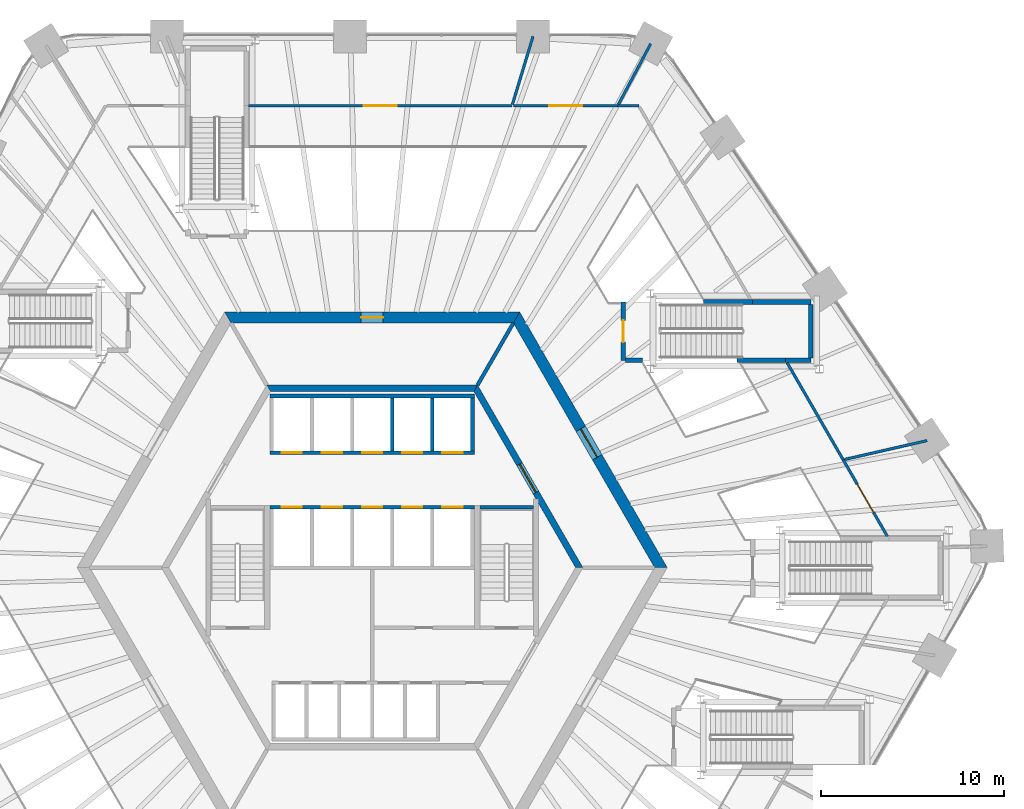
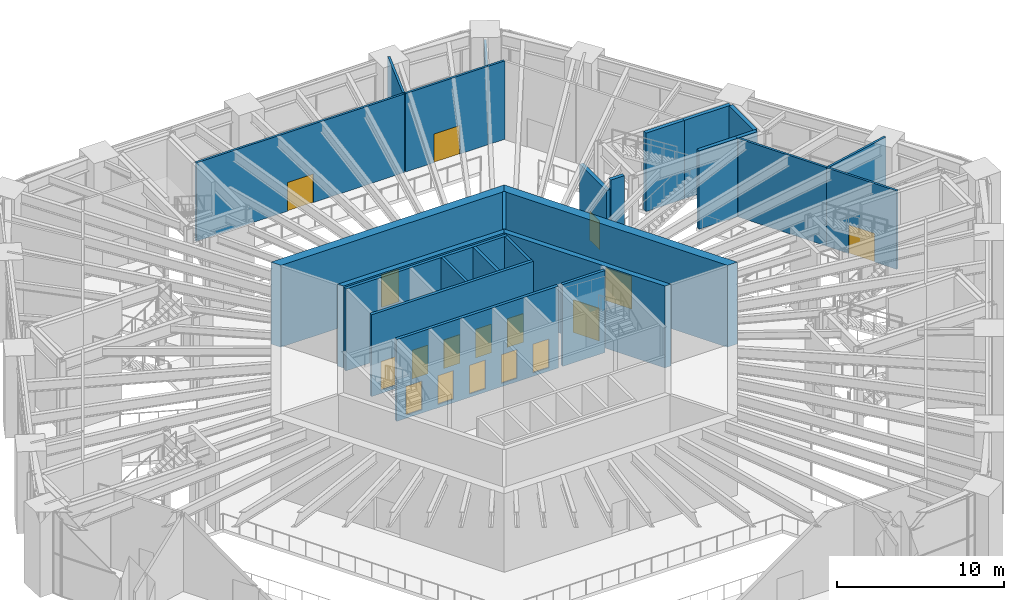
# One storey, part 24 of 32: 27 walls, 17 doors, 17 openings.
"""IFC4 building model written with IfcOpenShell, lengths in metres."""

from ifc_helpers import new_model, si_unit, direction, frame, frame_2d, origin, place, context, subcontext, project, spatial, polyline, rectangle, outline, extrude, material, layer, layer_set, type_object, element, fill, save


model = new_model("IFC4")

# Units and contexts
model_context = context("Model", 3, precision=1e-05, world=origin(), true_north=direction((0.0, 1.0)))
body_context = subcontext(model_context, "Body", "Model", "MODEL_VIEW")
ifc_project = project(units=[si_unit("LENGTHUNIT", "METRE"), si_unit("AREAUNIT", "SQUARE_METRE"), si_unit("VOLUMEUNIT", "CUBIC_METRE"), si_unit("PLANEANGLEUNIT", "RADIAN"), si_unit("MASSUNIT", "GRAM", prefix="KILO")], contexts=[model_context])

# Site, building, storey
site_placement = place(None, origin())
site = spatial("IfcSite", under=ifc_project, at=site_placement, CompositionType="ELEMENT")
building_placement = place(site_placement, origin())
building = spatial("IfcBuilding", under=site, at=building_placement, Name="Tarnside Tower", CompositionType="ELEMENT")
storey_placement = place(building_placement, frame((0.0, 0.0, 9.0)))
storey = spatial("IfcBuildingStorey", under=building, at=storey_placement, Name="L01", CompositionType="ELEMENT", Elevation=9.0)

# Wall, opening, door
ifc_material_1 = material(Name="Concrete C50/60", Category="concrete")
ifc_layer_1 = layer(ifc_material_1, 0.35009765625)
ifc_layer_set_1 = layer_set([ifc_layer_1], Name="Core block wall 350 C50/60")
wall_type_1 = type_object("IfcWallType", Name="Core block wall 350 C50/60", PredefinedType="SHEAR", material=ifc_layer_set_1)
wall_1_placement = place(storey_placement, frame((11.344970703125, 0.0, -0.25), z_axis=(0.0, 0.0, 1.0), x_axis=(-0.499995046907, 0.866028263435, 0.0)))
wall_1 = element("IfcWall", 1, at=wall_1_placement, inside=storey, type_object=wall_type_1, Name="L01 core block wall face 6", PredefinedType="SHEAR", context=body_context, shape_type="SweptSolid", body=[
    extrude(outline(polyline([(-0.10107421875, -0.175048828125), (11.44580078125, -0.175048828125), (11.24365234375, 0.175048828125), (0.10107421875, 0.175048828125), (-0.10107421875, -0.175048828125)])), origin(), (0.0, 0.0, 1.0), 6.0),
])
opening_1_placement = place(wall_1_placement, frame((4.74365234375, 0.0, 0.25)))
opening_1 = element("IfcOpeningElement", 2, at=opening_1_placement, cuts=wall_1, Name="Opening CD-LOB", PredefinedType="OPENING", context=body_context, shape_type="SweptSolid", body=[
    extrude(rectangle(XDim=1.800048828125, YDim=2.39990234375, at=frame_2d((0.89990234375, 1.199951171875))), frame((0.0, 0.18505859375, 0.0), z_axis=(0.0, -1.0, 0.0), x_axis=(1.0, 0.0, 0.0)), (0.0, 0.0, 1.0), 0.3701171875),
])
ifc_material_2 = material(Name="Steel fire door", Category="steel")
door_type_1 = type_object("IfcDoorType", Name="Lobby double door FD30S 1800x2400", OperationType="NOTDEFINED", PredefinedType="DOOR", material=ifc_material_2)
door_1_placement = place(opening_1_placement, origin())
door_1 = element("IfcDoor", 3, at=door_1_placement, inside=storey, type_object=door_type_1, Name="L01 lobby block door P2", OperationType="DOUBLE_DOOR_SINGLE_SWING", OverallHeight=2.39990234375, OverallWidth=1.800048828125, PredefinedType="DOOR", context=body_context, shape_type="SweptSolid", body=[
    extrude(rectangle(XDim=1.800048828125, YDim=2.39990234375, at=frame_2d((0.89990234375, 1.199951171875))), frame((0.0, 0.02490234375, 0.0), z_axis=(0.0, -1.0, 0.0), x_axis=(1.0, 0.0, 0.0)), (0.0, 0.0, 1.0), 0.050048828125),
])
fill(opening_1, door_1)

# Wall
wall_2_placement = place(storey_placement, frame((5.672607421875, 9.824951171875, -0.25), z_axis=(0.0, 0.0, 1.0), x_axis=(-1.0, 0.0, 0.0)))
element("IfcWall", 4, at=wall_2_placement, inside=storey, type_object=wall_type_1, Name="L01 core block wall face 1", PredefinedType="SHEAR", context=body_context, shape_type="SweptSolid", body=[
    extrude(outline(polyline([(-0.10107421875, -0.175048828125), (11.4462890625, -0.175048828125), (11.244140625, 0.175048828125), (0.10107421875, 0.175048828125), (-0.10107421875, -0.175048828125)])), origin(), (0.0, 0.0, 1.0), 6.0),
])

# Wall, opening, door
ifc_material_3 = material(Name="Concrete C80/95", Category="concrete")
ifc_layer_2 = layer(ifc_material_3, 0.60009765625)
ifc_layer_set_2 = layer_set([ifc_layer_2], Name="Core wall Z1 600 C80/95")
wall_type_2 = type_object("IfcWallType", Name="Core wall Z1 600 C80/95", PredefinedType="SHEAR", material=ifc_layer_set_2)
wall_3_placement = place(storey_placement, frame((15.8193359375, 0.0, -0.25), z_axis=(0.0, 0.0, 1.0), x_axis=(-0.499999880136, 0.866025472988, 0.0)))
wall_3 = element("IfcWall", 5, at=wall_3_placement, inside=storey, type_object=wall_type_2, Name="L01 core wall face 6", PredefinedType="SHEAR", context=body_context, shape_type="SweptSolid", body=[
    extrude(outline(polyline([(-0.17333984375, -0.300048828125), (15.99267578125, -0.300048828125), (15.64599609375, 0.300048828125), (0.17333984375, 0.300048828125), (-0.17333984375, -0.300048828125)])), origin(), (0.0, 0.0, 1.0), 6.0),
])
opening_2_placement = place(wall_3_placement, frame((6.980712890625, 0.0, 0.25)))
opening_2 = element("IfcOpeningElement", 6, at=opening_2_placement, cuts=wall_3, Name="Opening CD-LOB", PredefinedType="OPENING", context=body_context, shape_type="SweptSolid", body=[
    extrude(rectangle(XDim=1.800048828125, YDim=2.39990234375, at=frame_2d((0.89990234375, 1.199951171875))), frame((0.0, 0.31005859375, 0.0), z_axis=(0.0, -1.0, 0.0), x_axis=(1.0, 0.0, 0.0)), (0.0, 0.0, 1.0), 0.6201171875),
])
door_2_placement = place(opening_2_placement, origin())
door_2 = element("IfcDoor", 7, at=door_2_placement, inside=storey, type_object=door_type_1, Name="L01 core door P2", OperationType="DOUBLE_DOOR_SINGLE_SWING", OverallHeight=2.39990234375, OverallWidth=1.800048828125, PredefinedType="DOOR", context=body_context, shape_type="SweptSolid", body=[
    extrude(rectangle(XDim=1.800048828125, YDim=2.39990234375, at=frame_2d((0.89990234375, 1.199951171875))), frame((0.0, 0.02490234375, 0.0), z_axis=(0.0, -1.0, 0.0), x_axis=(1.0, 0.0, 0.0)), (0.0, 0.0, 1.0), 0.050048828125),
])
fill(opening_2, door_2)

wall_4_placement = place(storey_placement, frame((7.90966796875, 13.699951171875, -0.25), z_axis=(0.0, 0.0, 1.0), x_axis=(-1.0, 0.0, 0.0)))
wall_4 = element("IfcWall", 8, at=wall_4_placement, inside=storey, type_object=wall_type_2, Name="L01 core wall face 1", PredefinedType="SHEAR", context=body_context, shape_type="SweptSolid", body=[
    extrude(outline(polyline([(-0.17333984375, -0.300048828125), (15.99267578125, -0.300048828125), (15.64599609375, 0.300048828125), (0.17333984375, 0.300048828125), (-0.17333984375, -0.300048828125)])), origin(), (0.0, 0.0, 1.0), 6.0),
])
opening_3_placement = place(wall_4_placement, frame((7.309814453125, 0.0, 0.25)))
opening_3 = element("IfcOpeningElement", 9, at=opening_3_placement, cuts=wall_4, Name="Opening CD-RSR", PredefinedType="OPENING", context=body_context, shape_type="SweptSolid", body=[
    extrude(rectangle(XDim=1.199951171875, YDim=2.39990234375, at=frame_2d((0.60009765625, 1.199951171875))), frame((0.0, 0.31005859375, 0.0), z_axis=(0.0, -1.0, 0.0), x_axis=(1.0, 0.0, 0.0)), (0.0, 0.0, 1.0), 0.6201171875),
])
door_type_2 = type_object("IfcDoorType", Name="Riser door FD60 1200x2400", OperationType="NOTDEFINED", PredefinedType="DOOR", material=ifc_material_2)
door_3_placement = place(opening_3_placement, origin())
door_3 = element("IfcDoor", 10, at=door_3_placement, inside=storey, type_object=door_type_2, Name="L01 core door S5", OperationType="SINGLE_SWING_LEFT", OverallHeight=2.39990234375, OverallWidth=1.199951171875, PredefinedType="DOOR", context=body_context, shape_type="SweptSolid", body=[
    extrude(rectangle(XDim=1.199951171875, YDim=2.39990234375, at=frame_2d((0.60009765625, 1.199951171875))), frame((0.0, 0.02490234375, 0.0), z_axis=(0.0, -1.0, 0.0), x_axis=(1.0, 0.0, 0.0)), (0.0, 0.0, 1.0), 0.050048828125),
])
fill(opening_3, door_3)

# Wall, openings, doors
ifc_material_4 = material(Name="Concrete C40/50", Category="concrete")
ifc_layer_3 = layer(ifc_material_4, 0.199951171875)
ifc_layer_set_3 = layer_set([ifc_layer_3], Name="Lift shaft wall 200 C40/50")
wall_type_3 = type_object("IfcWallType", Name="Lift shaft wall 200 C40/50", PredefinedType="SHEAR", material=ifc_layer_set_3)
wall_5_placement = place(storey_placement, frame((-5.60009765625, 6.300048828125, -0.25), z_axis=(0.0, 0.0, 1.0), x_axis=(1.0, 0.0, 0.0)))
wall_5 = element("IfcWall", 11, at=wall_5_placement, inside=storey, type_object=wall_type_3, Name="L01 lift shaft front wall R1", PredefinedType="SHEAR", context=body_context, shape_type="SweptSolid", body=[
    extrude(rectangle(XDim=11.2001953125, YDim=0.199951171875, at=frame_2d((5.60009765625, 0.0))), origin(), (0.0, 0.0, 1.0), 6.0),
])
opening_4_placement = place(wall_5_placement, frame((0.64990234375, 0.0, 0.25)))
opening_4 = element("IfcOpeningElement", 12, at=opening_4_placement, cuts=wall_5, Name="Opening LD", PredefinedType="OPENING", context=body_context, shape_type="SweptSolid", body=[
    extrude(rectangle(XDim=1.10009765625, YDim=2.10009765625, at=frame_2d((0.550048828125, 1.050048828125))), frame((0.0, 0.10986328125, 0.0), z_axis=(0.0, -1.0, 0.0), x_axis=(1.0, 0.0, 0.0)), (0.0, 0.0, 1.0), 0.219970703125),
])
opening_5_placement = place(wall_5_placement, frame((2.85009765625, 0.0, 0.25)))
opening_5 = element("IfcOpeningElement", 13, at=opening_5_placement, cuts=wall_5, Name="Opening LD", PredefinedType="OPENING", context=body_context, shape_type="SweptSolid", body=[
    extrude(rectangle(XDim=1.10009765625, YDim=2.10009765625, at=frame_2d((0.550048828125, 1.050048828125))), frame((0.0, 0.10986328125, 0.0), z_axis=(0.0, -1.0, 0.0), x_axis=(1.0, 0.0, 0.0)), (0.0, 0.0, 1.0), 0.219970703125),
])
opening_6_placement = place(wall_5_placement, frame((5.050048828125, 0.0, 0.25)))
opening_6 = element("IfcOpeningElement", 14, at=opening_6_placement, cuts=wall_5, Name="Opening LD", PredefinedType="OPENING", context=body_context, shape_type="SweptSolid", body=[
    extrude(rectangle(XDim=1.10009765625, YDim=2.10009765625, at=frame_2d((0.550048828125, 1.050048828125))), frame((0.0, 0.10986328125, 0.0), z_axis=(0.0, -1.0, 0.0), x_axis=(1.0, 0.0, 0.0)), (0.0, 0.0, 1.0), 0.219970703125),
])
opening_7_placement = place(wall_5_placement, frame((7.25, 0.0, 0.25)))
opening_7 = element("IfcOpeningElement", 15, at=opening_7_placement, cuts=wall_5, Name="Opening LD", PredefinedType="OPENING", context=body_context, shape_type="SweptSolid", body=[
    extrude(rectangle(XDim=1.10009765625, YDim=2.10009765625, at=frame_2d((0.550048828125, 1.050048828125))), frame((0.0, 0.10986328125, 0.0), z_axis=(0.0, -1.0, 0.0), x_axis=(1.0, 0.0, 0.0)), (0.0, 0.0, 1.0), 0.219970703125),
])
opening_8_placement = place(wall_5_placement, frame((9.449951171875, 0.0, 0.25)))
opening_8 = element("IfcOpeningElement", 16, at=opening_8_placement, cuts=wall_5, Name="Opening LD", PredefinedType="OPENING", context=body_context, shape_type="SweptSolid", body=[
    extrude(rectangle(XDim=1.10009765625, YDim=2.10009765625, at=frame_2d((0.550048828125, 1.050048828125))), frame((0.0, 0.10986328125, 0.0), z_axis=(0.0, -1.0, 0.0), x_axis=(1.0, 0.0, 0.0)), (0.0, 0.0, 1.0), 0.219970703125),
])
ifc_material_5 = material(Name="Stainless steel", Category="steel")
door_type_3 = type_object("IfcDoorType", Name="Lift landing door 1100x2100", OperationType="NOTDEFINED", PredefinedType="DOOR", material=ifc_material_5)
door_4_placement = place(opening_4_placement, origin())
door_4 = element("IfcDoor", 17, at=door_4_placement, inside=storey, type_object=door_type_3, Name="Low-rise lift 1 landing door L01", OperationType="SLIDING_TO_LEFT", OverallHeight=2.10009765625, OverallWidth=1.10009765625, PredefinedType="DOOR", context=body_context, shape_type="SweptSolid", body=[
    extrude(rectangle(XDim=1.10009765625, YDim=2.10009765625, at=frame_2d((0.550048828125, 1.050048828125))), frame((0.0, 0.02490234375, 0.0), z_axis=(0.0, -1.0, 0.0), x_axis=(1.0, 0.0, 0.0)), (0.0, 0.0, 1.0), 0.050048828125),
])
fill(opening_4, door_4)
door_5_placement = place(opening_5_placement, origin())
door_5 = element("IfcDoor", 18, at=door_5_placement, inside=storey, type_object=door_type_3, Name="Low-rise lift 2 landing door L01", OperationType="SLIDING_TO_LEFT", OverallHeight=2.10009765625, OverallWidth=1.10009765625, PredefinedType="DOOR", context=body_context, shape_type="SweptSolid", body=[
    extrude(rectangle(XDim=1.10009765625, YDim=2.10009765625, at=frame_2d((0.550048828125, 1.050048828125))), frame((0.0, 0.02490234375, 0.0), z_axis=(0.0, -1.0, 0.0), x_axis=(1.0, 0.0, 0.0)), (0.0, 0.0, 1.0), 0.050048828125),
])
fill(opening_5, door_5)
door_6_placement = place(opening_6_placement, origin())
door_6 = element("IfcDoor", 19, at=door_6_placement, inside=storey, type_object=door_type_3, Name="Low-rise lift 3 landing door L01", OperationType="SLIDING_TO_LEFT", OverallHeight=2.10009765625, OverallWidth=1.10009765625, PredefinedType="DOOR", context=body_context, shape_type="SweptSolid", body=[
    extrude(rectangle(XDim=1.10009765625, YDim=2.10009765625, at=frame_2d((0.550048828125, 1.050048828125))), frame((0.0, 0.02490234375, 0.0), z_axis=(0.0, -1.0, 0.0), x_axis=(1.0, 0.0, 0.0)), (0.0, 0.0, 1.0), 0.050048828125),
])
fill(opening_6, door_6)
door_7_placement = place(opening_7_placement, origin())
door_7 = element("IfcDoor", 20, at=door_7_placement, inside=storey, type_object=door_type_3, Name="Low sky-lobby shuttle 1 landing door L01", OperationType="SLIDING_TO_LEFT", OverallHeight=2.10009765625, OverallWidth=1.10009765625, PredefinedType="DOOR", context=body_context, shape_type="SweptSolid", body=[
    extrude(rectangle(XDim=1.10009765625, YDim=2.10009765625, at=frame_2d((0.550048828125, 1.050048828125))), frame((0.0, 0.02490234375, 0.0), z_axis=(0.0, -1.0, 0.0), x_axis=(1.0, 0.0, 0.0)), (0.0, 0.0, 1.0), 0.050048828125),
])
fill(opening_7, door_7)
door_8_placement = place(opening_8_placement, origin())
door_8 = element("IfcDoor", 21, at=door_8_placement, inside=storey, type_object=door_type_3, Name="Low sky-lobby shuttle 2 landing door L01", OperationType="SLIDING_TO_LEFT", OverallHeight=2.10009765625, OverallWidth=1.10009765625, PredefinedType="DOOR", context=body_context, shape_type="SweptSolid", body=[
    extrude(rectangle(XDim=1.10009765625, YDim=2.10009765625, at=frame_2d((0.550048828125, 1.050048828125))), frame((0.0, 0.02490234375, 0.0), z_axis=(0.0, -1.0, 0.0), x_axis=(1.0, 0.0, 0.0)), (0.0, 0.0, 1.0), 0.050048828125),
])
fill(opening_8, door_8)

# Walls
wall_6_placement = place(storey_placement, frame((-5.60009765625, 9.39990234375, -0.25), z_axis=(0.0, 0.0, 1.0), x_axis=(1.0, 0.0, 0.0)))
element("IfcWall", 22, at=wall_6_placement, inside=storey, type_object=wall_type_3, Name="L01 lift shaft back wall R1", PredefinedType="SHEAR", context=body_context, shape_type="SweptSolid", body=[
    extrude(rectangle(XDim=11.2001953125, YDim=0.199951171875, at=frame_2d((5.60009765625, 0.0))), origin(), (0.0, 0.0, 1.0), 6.0),
])
for number, where, z_axis, x_axis, name in (
    (23, (1.10009765625, 6.39990234375, -0.25), (0.0, 0.0, 1.0), (0.0, 1.0, 0.0), "L01 lift shaft partition R14"),
    (24, (3.300048828125, 6.39990234375, -0.25), (0.0, 0.0, 1.0), (0.0, 1.0, 0.0), "L01 lift shaft partition R15"),
    (25, (5.5, 6.39990234375, -0.25), (0.0, 0.0, 1.0), (0.0, 1.0, 0.0), "L01 lift shaft partition R16"),
):
    element("IfcWall", number, at=place(storey_placement, frame(where, z_axis=z_axis, x_axis=x_axis)), inside=storey, type_object=wall_type_3, Name=name, PredefinedType="SHEAR", context=body_context, shape_type="SweptSolid", body=[
        extrude(rectangle(XDim=2.900146484375, YDim=0.199951171875, at=frame_2d((1.4501953125, 0.0))), origin(), (0.0, 0.0, 1.0), 6.0),
    ])

# Wall, openings, doors
wall_7_placement = place(storey_placement, frame((-5.60009765625, 3.300048828125, -0.25), z_axis=(0.0, 0.0, 1.0), x_axis=(1.0, 0.0, 0.0)))
wall_7 = element("IfcWall", 26, at=wall_7_placement, inside=storey, type_object=wall_type_3, Name="L01 lift shaft front wall R2", PredefinedType="SHEAR", context=body_context, shape_type="SweptSolid", body=[
    extrude(rectangle(XDim=11.2001953125, YDim=0.199951171875, at=frame_2d((5.60009765625, 0.0))), origin(), (0.0, 0.0, 1.0), 6.0),
])
opening_9_placement = place(wall_7_placement, frame((0.64990234375, 0.0, 0.25)))
opening_9 = element("IfcOpeningElement", 27, at=opening_9_placement, cuts=wall_7, Name="Opening LD", PredefinedType="OPENING", context=body_context, shape_type="SweptSolid", body=[
    extrude(rectangle(XDim=1.10009765625, YDim=2.10009765625, at=frame_2d((0.550048828125, 1.050048828125))), frame((0.0, 0.10986328125, 0.0), z_axis=(0.0, -1.0, 0.0), x_axis=(1.0, 0.0, 0.0)), (0.0, 0.0, 1.0), 0.219970703125),
])
opening_10_placement = place(wall_7_placement, frame((2.85009765625, 0.0, 0.25)))
opening_10 = element("IfcOpeningElement", 28, at=opening_10_placement, cuts=wall_7, Name="Opening LD", PredefinedType="OPENING", context=body_context, shape_type="SweptSolid", body=[
    extrude(rectangle(XDim=1.10009765625, YDim=2.10009765625, at=frame_2d((0.550048828125, 1.050048828125))), frame((0.0, 0.10986328125, 0.0), z_axis=(0.0, -1.0, 0.0), x_axis=(1.0, 0.0, 0.0)), (0.0, 0.0, 1.0), 0.219970703125),
])
opening_11_placement = place(wall_7_placement, frame((5.050048828125, 0.0, 0.25)))
opening_11 = element("IfcOpeningElement", 29, at=opening_11_placement, cuts=wall_7, Name="Opening LD", PredefinedType="OPENING", context=body_context, shape_type="SweptSolid", body=[
    extrude(rectangle(XDim=1.10009765625, YDim=2.10009765625, at=frame_2d((0.550048828125, 1.050048828125))), frame((0.0, 0.10986328125, 0.0), z_axis=(0.0, -1.0, 0.0), x_axis=(1.0, 0.0, 0.0)), (0.0, 0.0, 1.0), 0.219970703125),
])
opening_12_placement = place(wall_7_placement, frame((7.25, 0.0, 0.25)))
opening_12 = element("IfcOpeningElement", 30, at=opening_12_placement, cuts=wall_7, Name="Opening LD", PredefinedType="OPENING", context=body_context, shape_type="SweptSolid", body=[
    extrude(rectangle(XDim=1.10009765625, YDim=2.10009765625, at=frame_2d((0.550048828125, 1.050048828125))), frame((0.0, 0.10986328125, 0.0), z_axis=(0.0, -1.0, 0.0), x_axis=(1.0, 0.0, 0.0)), (0.0, 0.0, 1.0), 0.219970703125),
])
opening_13_placement = place(wall_7_placement, frame((9.449951171875, 0.0, 0.25)))
opening_13 = element("IfcOpeningElement", 31, at=opening_13_placement, cuts=wall_7, Name="Opening LD", PredefinedType="OPENING", context=body_context, shape_type="SweptSolid", body=[
    extrude(rectangle(XDim=1.10009765625, YDim=2.10009765625, at=frame_2d((0.550048828125, 1.050048828125))), frame((0.0, 0.10986328125, 0.0), z_axis=(0.0, -1.0, 0.0), x_axis=(1.0, 0.0, 0.0)), (0.0, 0.0, 1.0), 0.219970703125),
])
door_9_placement = place(opening_9_placement, origin())
door_9 = element("IfcDoor", 32, at=door_9_placement, inside=storey, type_object=door_type_3, Name="Low-rise lift 4 landing door L01", OperationType="SLIDING_TO_LEFT", OverallHeight=2.10009765625, OverallWidth=1.10009765625, PredefinedType="DOOR", context=body_context, shape_type="SweptSolid", body=[
    extrude(rectangle(XDim=1.10009765625, YDim=2.10009765625, at=frame_2d((0.550048828125, 1.050048828125))), frame((0.0, 0.02490234375, 0.0), z_axis=(0.0, -1.0, 0.0), x_axis=(1.0, 0.0, 0.0)), (0.0, 0.0, 1.0), 0.050048828125),
])
fill(opening_9, door_9)
door_10_placement = place(opening_10_placement, origin())
door_10 = element("IfcDoor", 33, at=door_10_placement, inside=storey, type_object=door_type_3, Name="Low-rise lift 5 landing door L01", OperationType="SLIDING_TO_LEFT", OverallHeight=2.10009765625, OverallWidth=1.10009765625, PredefinedType="DOOR", context=body_context, shape_type="SweptSolid", body=[
    extrude(rectangle(XDim=1.10009765625, YDim=2.10009765625, at=frame_2d((0.550048828125, 1.050048828125))), frame((0.0, 0.02490234375, 0.0), z_axis=(0.0, -1.0, 0.0), x_axis=(1.0, 0.0, 0.0)), (0.0, 0.0, 1.0), 0.050048828125),
])
fill(opening_10, door_10)
door_11_placement = place(opening_11_placement, origin())
door_11 = element("IfcDoor", 34, at=door_11_placement, inside=storey, type_object=door_type_3, Name="Low-rise lift 6 landing door L01", OperationType="SLIDING_TO_LEFT", OverallHeight=2.10009765625, OverallWidth=1.10009765625, PredefinedType="DOOR", context=body_context, shape_type="SweptSolid", body=[
    extrude(rectangle(XDim=1.10009765625, YDim=2.10009765625, at=frame_2d((0.550048828125, 1.050048828125))), frame((0.0, 0.02490234375, 0.0), z_axis=(0.0, -1.0, 0.0), x_axis=(1.0, 0.0, 0.0)), (0.0, 0.0, 1.0), 0.050048828125),
])
fill(opening_11, door_11)
door_12_placement = place(opening_12_placement, origin())
door_12 = element("IfcDoor", 35, at=door_12_placement, inside=storey, type_object=door_type_3, Name="High sky-lobby shuttle 1 landing door L01", OperationType="SLIDING_TO_LEFT", OverallHeight=2.10009765625, OverallWidth=1.10009765625, PredefinedType="DOOR", context=body_context, shape_type="SweptSolid", body=[
    extrude(rectangle(XDim=1.10009765625, YDim=2.10009765625, at=frame_2d((0.550048828125, 1.050048828125))), frame((0.0, 0.02490234375, 0.0), z_axis=(0.0, -1.0, 0.0), x_axis=(1.0, 0.0, 0.0)), (0.0, 0.0, 1.0), 0.050048828125),
])
fill(opening_12, door_12)
door_13_placement = place(opening_13_placement, origin())
door_13 = element("IfcDoor", 36, at=door_13_placement, inside=storey, type_object=door_type_3, Name="Express sky-lobby shuttle 2 landing door L01", OperationType="SLIDING_TO_LEFT", OverallHeight=2.10009765625, OverallWidth=1.10009765625, PredefinedType="DOOR", context=body_context, shape_type="SweptSolid", body=[
    extrude(rectangle(XDim=1.10009765625, YDim=2.10009765625, at=frame_2d((0.550048828125, 1.050048828125))), frame((0.0, 0.02490234375, 0.0), z_axis=(0.0, -1.0, 0.0), x_axis=(1.0, 0.0, 0.0)), (0.0, 0.0, 1.0), 0.050048828125),
])
fill(opening_13, door_13)

# Walls
wall_8_placement = place(storey_placement, frame((5.7734375, 10.0, -0.25), z_axis=(0.0, 0.0, 1.0), x_axis=(0.500038251005, 0.86600331843, 0.0)))
element("IfcWall", 37, at=wall_8_placement, inside=storey, type_object=wall_type_3, Name="L01 core partition AR60", PredefinedType="SHEAR", context=body_context, shape_type="SweptSolid", body=[
    extrude(rectangle(XDim=3.926025390625, YDim=0.199951171875, at=frame_2d((1.962890625, 0.0))), origin(), (0.0, 0.0, 1.0), 6.0),
])
wall_9_placement = place(storey_placement, frame((5.89990234375, 3.300048828125, -0.25), z_axis=(0.0, 0.0, 1.0), x_axis=(1.0, 0.0, 0.0)))
element("IfcWall", 38, at=wall_9_placement, inside=storey, type_object=wall_type_3, Name="L01 stair 1 enclosure cap wall n", PredefinedType="SHEAR", context=body_context, shape_type="SweptSolid", body=[
    extrude(rectangle(XDim=2.9501953125, YDim=0.199951171875, at=frame_2d((1.47509765625, 0.0))), origin(), (0.0, 0.0, 1.0), 6.0),
])

# Wall, opening, door
ifc_material_6 = material(Name="Gypsum board")
ifc_layer_4 = layer(ifc_material_6, 0.14990234375)
ifc_layer_set_4 = layer_set([ifc_layer_4], Name="Partition 150 gypsum board on metal stud")
wall_type_4 = type_object("IfcWallType", Name="Partition 150 gypsum board on metal stud", PredefinedType="PARTITIONING", material=ifc_layer_set_4)
wall_10_placement = place(storey_placement, frame((-6.764892578125, 25.300048828125, 0.0), z_axis=(0.0, 0.0, 1.0), x_axis=(1.0, 0.0, 0.0)))
wall_10 = element("IfcWall", 39, at=wall_10_placement, inside=storey, type_object=wall_type_4, Name="Partition 050", PredefinedType="PARTITIONING", context=body_context, shape_type="SweptSolid", body=[
    extrude(rectangle(XDim=14.427001953125, YDim=0.14990234375, at=frame_2d((7.21337890625, 0.0))), origin(), (0.0, 0.0, 1.0), 5.75),
])
opening_14_placement = place(wall_10_placement, frame((6.3134765625, 0.0, 0.0)))
opening_14 = element("IfcOpeningElement", 40, at=opening_14_placement, cuts=wall_10, Name="Opening D1800F30", PredefinedType="OPENING", context=body_context, shape_type="SweptSolid", body=[
    extrude(rectangle(XDim=1.800048828125, YDim=2.10009765625, at=frame_2d((0.89990234375, 1.050048828125))), frame((0.0, 0.0849609375, 0.0), z_axis=(0.0, -1.0, 0.0), x_axis=(1.0, 0.0, 0.0)), (0.0, 0.0, 1.0), 0.169921875),
])
ifc_material_7 = material(Name="Timber door leaf", Category="wood")
door_type_4 = type_object("IfcDoorType", Name="Door pair 1800 x 2100 FD30S fire door", OperationType="NOTDEFINED", PredefinedType="DOOR", material=ifc_material_7)
door_14_placement = place(opening_14_placement, origin())
door_14 = element("IfcDoor", 41, at=door_14_placement, inside=storey, type_object=door_type_4, Name="Door L01-15", OperationType="DOUBLE_DOOR_SINGLE_SWING", OverallHeight=2.10009765625, OverallWidth=1.800048828125, PredefinedType="DOOR", context=body_context, shape_type="SweptSolid", body=[
    extrude(rectangle(XDim=1.800048828125, YDim=2.10009765625, at=frame_2d((0.89990234375, 1.050048828125))), frame((0.0, 0.02490234375, 0.0), z_axis=(0.0, -1.0, 0.0), x_axis=(1.0, 0.0, 0.0)), (0.0, 0.0, 1.0), 0.050048828125),
])
fill(opening_14, door_14)

# Wall
wall_11_placement = place(storey_placement, frame((7.684814453125, 25.375, 0.0), z_axis=(0.0, 0.0, 1.0), x_axis=(0.289855931787, 0.957070289377, 0.0)))
element("IfcWall", 42, at=wall_11_placement, inside=storey, type_object=wall_type_4, Name="Partition 051", PredefinedType="PARTITIONING", context=body_context, shape_type="SweptSolid", body=[
    extrude(rectangle(XDim=3.89208984375, YDim=0.14990234375, at=frame_2d((1.946044921875, 0.0))), origin(), (0.0, 0.0, 1.0), 5.75),
])

# Wall, opening, door
wall_12_placement = place(storey_placement, frame((7.740478515625, 25.300048828125, 0.0), z_axis=(0.0, 0.0, 1.0), x_axis=(1.0, 0.0, 0.0)))
wall_12 = element("IfcWall", 43, at=wall_12_placement, inside=storey, type_object=wall_type_4, Name="Partition 054", PredefinedType="PARTITIONING", context=body_context, shape_type="SweptSolid", body=[
    extrude(rectangle(XDim=5.71142578125, YDim=0.14990234375, at=frame_2d((2.855712890625, 0.0))), origin(), (0.0, 0.0, 1.0), 5.75),
])
opening_15_placement = place(wall_12_placement, frame((1.955810546875, 0.0, 0.0)))
opening_15 = element("IfcOpeningElement", 44, at=opening_15_placement, cuts=wall_12, Name="Opening D1800F30", PredefinedType="OPENING", context=body_context, shape_type="SweptSolid", body=[
    extrude(rectangle(XDim=1.800048828125, YDim=2.10009765625, at=frame_2d((0.89990234375, 1.050048828125))), frame((0.0, 0.0849609375, 0.0), z_axis=(0.0, -1.0, 0.0), x_axis=(1.0, 0.0, 0.0)), (0.0, 0.0, 1.0), 0.169921875),
])
door_15_placement = place(opening_15_placement, origin())
door_15 = element("IfcDoor", 45, at=door_15_placement, inside=storey, type_object=door_type_4, Name="Door L01-17", OperationType="DOUBLE_DOOR_SINGLE_SWING", OverallHeight=2.10009765625, OverallWidth=1.800048828125, PredefinedType="DOOR", context=body_context, shape_type="SweptSolid", body=[
    extrude(rectangle(XDim=1.800048828125, YDim=2.10009765625, at=frame_2d((0.89990234375, 1.050048828125))), frame((0.0, 0.02490234375, 0.0), z_axis=(0.0, -1.0, 0.0), x_axis=(1.0, 0.0, 0.0)), (0.0, 0.0, 1.0), 0.050048828125),
])
fill(opening_15, door_15)

# Walls
wall_13_placement = place(storey_placement, frame((14.60693359375, 25.300048828125, 0.0), z_axis=(0.0, 0.0, 1.0), x_axis=(-1.0, 0.0, 0.0)))
element("IfcWall", 46, at=wall_13_placement, inside=storey, type_object=wall_type_4, Name="Partition 057", PredefinedType="PARTITIONING", context=body_context, shape_type="SweptSolid", body=[
    extrude(rectangle(XDim=1.155029296875, YDim=0.14990234375, at=frame_2d((0.57763671875, 0.0))), origin(), (0.0, 0.0, 1.0), 5.75),
])
wall_14_placement = place(storey_placement, frame((15.260986328125, 28.700927734375, 0.0), z_axis=(0.0, 0.0, 1.0), x_axis=(-0.469599000546, -0.882879821202, 0.0)))
element("IfcWall", 47, at=wall_14_placement, inside=storey, type_object=wall_type_4, Name="Partition 060", PredefinedType="PARTITIONING", context=body_context, shape_type="SweptSolid", body=[
    extrude(rectangle(XDim=3.76708984375, YDim=0.14990234375, at=frame_2d((1.883544921875, 0.0))), origin(), (0.0, 0.0, 1.0), 4.98779296875),
])
wall_15_placement = place(storey_placement, frame((25.804931640625, 5.905029296875, 0.0), z_axis=(0.0, 0.0, 1.0), x_axis=(-0.500028622136, 0.866008878156, 0.0)))
element("IfcWall", 48, at=wall_15_placement, inside=storey, type_object=wall_type_4, Name="Partition 081", PredefinedType="PARTITIONING", context=body_context, shape_type="SweptSolid", body=[
    extrude(rectangle(XDim=6.143310546875, YDim=0.14990234375, at=frame_2d((3.07177734375, 0.0))), origin(), (0.0, 0.0, 1.0), 5.75),
])

# Wall, opening, door
wall_16_placement = place(storey_placement, frame((25.804931640625, 5.905029296875, 0.0), z_axis=(0.0, 0.0, 1.0), x_axis=(0.500027111462, -0.866009750409, 0.0)))
wall_16 = element("IfcWall", 49, at=wall_16_placement, inside=storey, type_object=wall_type_4, Name="Partition 088", PredefinedType="PARTITIONING", context=body_context, shape_type="SweptSolid", body=[
    extrude(rectangle(XDim=4.855712890625, YDim=0.14990234375, at=frame_2d((2.427734375, 0.0))), origin(), (0.0, 0.0, 1.0), 5.75),
])
opening_16_placement = place(wall_16_placement, frame((1.52783203125, 0.0, 0.0)))
opening_16 = element("IfcOpeningElement", 50, at=opening_16_placement, cuts=wall_16, Name="Opening D1800F30", PredefinedType="OPENING", context=body_context, shape_type="SweptSolid", body=[
    extrude(rectangle(XDim=1.800048828125, YDim=2.10009765625, at=frame_2d((0.89990234375, 1.050048828125))), frame((0.0, 0.0849609375, 0.0), z_axis=(0.0, -1.0, 0.0), x_axis=(1.0, 0.0, 0.0)), (0.0, 0.0, 1.0), 0.169921875),
])
door_16_placement = place(opening_16_placement, origin())
door_16 = element("IfcDoor", 51, at=door_16_placement, inside=storey, type_object=door_type_4, Name="Door L01-27", OperationType="DOUBLE_DOOR_SINGLE_SWING", OverallHeight=2.10009765625, OverallWidth=1.800048828125, PredefinedType="DOOR", context=body_context, shape_type="SweptSolid", body=[
    extrude(rectangle(XDim=1.800048828125, YDim=2.10009765625, at=frame_2d((0.89990234375, 1.050048828125))), frame((0.0, 0.02490234375, 0.0), z_axis=(0.0, -1.0, 0.0), x_axis=(1.0, 0.0, 0.0)), (0.0, 0.0, 1.0), 0.050048828125),
])
fill(opening_16, door_16)

# Wall
wall_17_placement = place(storey_placement, frame((30.406982421875, 6.9580078125, 0.0), z_axis=(0.0, 0.0, 1.0), x_axis=(-0.974810504156, -0.223034708034, 0.0)))
element("IfcWall", 52, at=wall_17_placement, inside=storey, type_object=wall_type_4, Name="Partition 089", PredefinedType="PARTITIONING", context=body_context, shape_type="SweptSolid", body=[
    extrude(rectangle(XDim=4.642333984375, YDim=0.14990234375, at=frame_2d((2.3212890625, 0.0))), origin(), (0.0, 0.0, 1.0), 5.75),
])

# Wall, opening, door
ifc_material_8 = material(Name="Concrete C32/40", Category="concrete")
ifc_layer_5 = layer(ifc_material_8, 0.25)
ifc_layer_set_5 = layer_set([ifc_layer_5], Name="Wall 250 reinforced Concrete C32/40")
wall_type_5 = type_object("IfcWallType", Name="Wall 250 reinforced Concrete C32/40", PredefinedType="PARTITIONING", material=ifc_layer_set_5)
wall_18_placement = place(storey_placement, frame((13.764892578125, 11.35009765625, 0.0), z_axis=(0.0, 0.0, 1.0), x_axis=(0.0, 1.0, 0.0)))
wall_18 = element("IfcWall", 53, at=wall_18_placement, inside=storey, type_object=wall_type_5, Name="Partition 055", PredefinedType="PARTITIONING", context=body_context, shape_type="SweptSolid", body=[
    extrude(rectangle(XDim=3.199951171875, YDim=0.25, at=frame_2d((1.60009765625, 0.0))), origin(), (0.0, 0.0, 1.0), 4.99609375),
])
opening_17_placement = place(wall_18_placement, frame((1.0, 0.0, 0.0)))
opening_17 = element("IfcOpeningElement", 54, at=opening_17_placement, cuts=wall_18, Name="Opening D1200F60S", PredefinedType="OPENING", context=body_context, shape_type="SweptSolid", body=[
    extrude(rectangle(XDim=1.199951171875, YDim=2.10009765625, at=frame_2d((0.60009765625, 1.050048828125))), frame((0.0, 0.135009765625, 0.0), z_axis=(0.0, -1.0, 0.0), x_axis=(1.0, 0.0, 0.0)), (0.0, 0.0, 1.0), 0.27001953125),
])
door_type_5 = type_object("IfcDoorType", Name="Door 1200 x 2100 single leaf FD60S fire door", OperationType="NOTDEFINED", PredefinedType="DOOR", material=ifc_material_7)
door_17_placement = place(opening_17_placement, origin())
door_17 = element("IfcDoor", 55, at=door_17_placement, inside=storey, type_object=door_type_5, Name="Door L01-18", OperationType="SINGLE_SWING_LEFT", OverallHeight=2.10009765625, OverallWidth=1.199951171875, PredefinedType="DOOR", context=body_context, shape_type="SweptSolid", body=[
    extrude(rectangle(XDim=1.199951171875, YDim=2.10009765625, at=frame_2d((0.60009765625, 1.050048828125))), frame((0.0, 0.02490234375, 0.0), z_axis=(0.0, -1.0, 0.0), x_axis=(1.0, 0.0, 0.0)), (0.0, 0.0, 1.0), 0.050048828125),
])
fill(opening_17, door_17)

# Walls
wall_19_placement = place(storey_placement, frame((14.821044921875, 11.35009765625, 0.0), z_axis=(0.0, 0.0, 1.0), x_axis=(-1.0, 0.0, 0.0)))
element("IfcWall", 56, at=wall_19_placement, inside=storey, type_object=wall_type_5, Name="Partition 058", PredefinedType="PARTITIONING", context=body_context, shape_type="SweptSolid", body=[
    extrude(rectangle(XDim=0.93115234375, YDim=0.25, at=frame_2d((0.465576171875, 0.0))), origin(), (0.0, 0.0, 1.0), 5.75),
])
wall_20_placement = place(storey_placement, frame((18.14599609375, 14.550048828125, 0.0), z_axis=(0.0, 0.0, 1.0), x_axis=(1.0, 0.0, 0.0)))
element("IfcWall", 57, at=wall_20_placement, inside=storey, type_object=wall_type_5, Name="Partition 066", PredefinedType="PARTITIONING", context=body_context, shape_type="SweptSolid", body=[
    extrude(rectangle(XDim=2.677978515625, YDim=0.25, at=frame_2d((1.3388671875, 0.0))), origin(), (0.0, 0.0, 1.0), 5.75),
])
wall_21_placement = place(storey_placement, frame((20.802001953125, 14.550048828125, 0.0), z_axis=(0.0, 0.0, 1.0), x_axis=(1.0, 0.0, 0.0)))
element("IfcWall", 58, at=wall_21_placement, inside=storey, type_object=wall_type_5, Name="Partition 069", PredefinedType="PARTITIONING", context=body_context, shape_type="SweptSolid", body=[
    extrude(rectangle(XDim=3.23291015625, YDim=0.25, at=frame_2d((1.616455078125, 0.0))), origin(), (0.0, 0.0, 1.0), 5.75),
])
wall_22_placement = place(storey_placement, frame((22.673095703125, 11.35009765625, 0.0), z_axis=(0.0, 0.0, 1.0), x_axis=(-1.0, 0.0, 0.0)))
element("IfcWall", 59, at=wall_22_placement, inside=storey, type_object=wall_type_5, Name="Partition 074", PredefinedType="PARTITIONING", context=body_context, shape_type="SweptSolid", body=[
    extrude(rectangle(XDim=2.677978515625, YDim=0.25, at=frame_2d((1.3388671875, 0.0))), origin(), (0.0, 0.0, 1.0), 5.75),
])
wall_23_placement = place(storey_placement, frame((24.034912109375, 11.35009765625, 0.0), z_axis=(0.0, 0.0, 1.0), x_axis=(-1.0, 0.0, 0.0)))
element("IfcWall", 60, at=wall_23_placement, inside=storey, type_object=wall_type_5, Name="Partition 076", PredefinedType="PARTITIONING", context=body_context, shape_type="SweptSolid", body=[
    extrude(rectangle(XDim=1.384033203125, YDim=0.25, at=frame_2d((0.69189453125, 0.0))), origin(), (0.0, 0.0, 1.0), 5.75),
])
wall_24_placement = place(storey_placement, frame((24.034912109375, 14.425048828125, 0.0), z_axis=(0.0, 0.0, 1.0), x_axis=(0.0, -1.0, 0.0)))
element("IfcWall", 61, at=wall_24_placement, inside=storey, type_object=wall_type_5, Name="Partition 077", PredefinedType="PARTITIONING", context=body_context, shape_type="SweptSolid", body=[
    extrude(rectangle(XDim=2.949951171875, YDim=0.25, at=frame_2d((1.47509765625, 0.0))), origin(), (0.0, 0.0, 1.0), 5.75),
])

save(model, "model.ifc")
